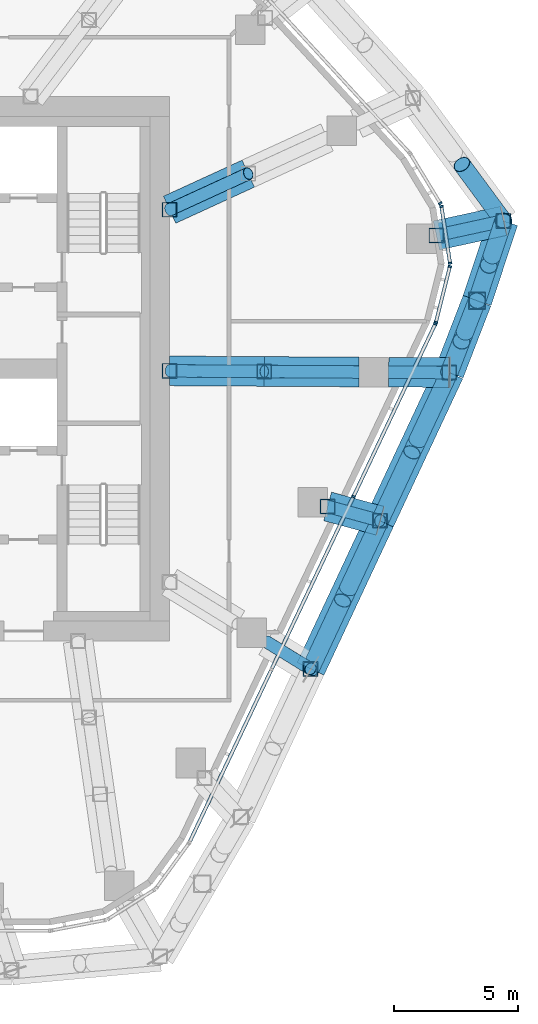
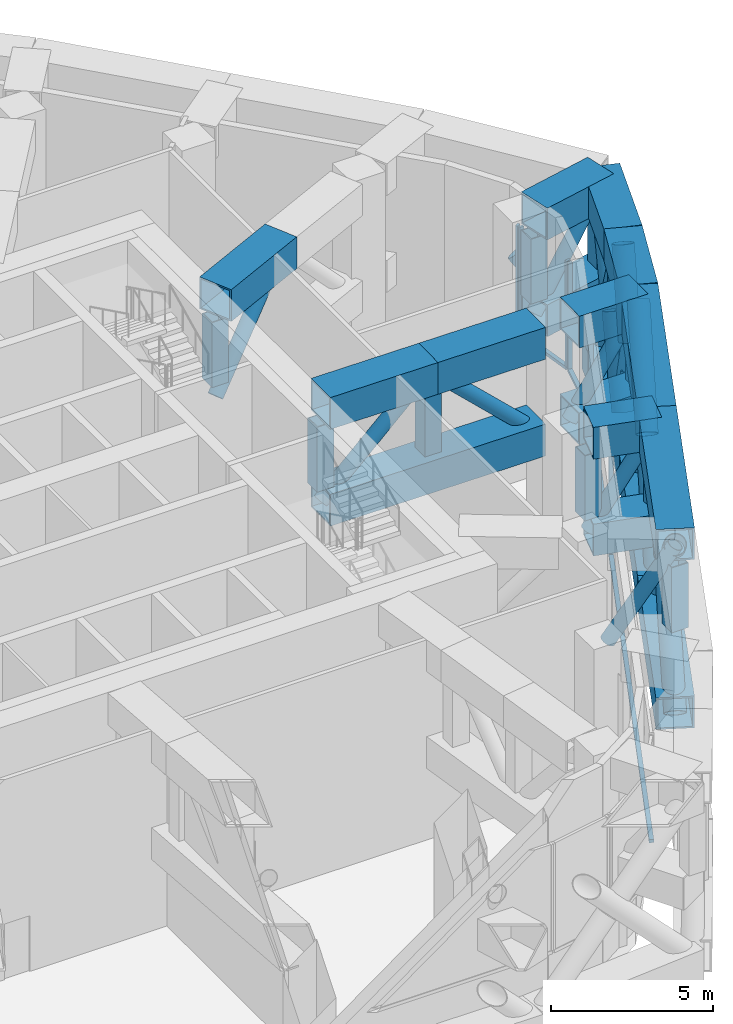
# One storey, part 6 of 21: 58 members, 2 elements without a shape of their own.
"""IFC4 building model written with IfcOpenShell, lengths in metres."""

from ifc_helpers import new_model, si_unit, direction, frame, origin, origin_2d, place, context, subcontext, project, spatial, rectangle, hollow_rectangle, hollow_circle, extrude, material, layer, layer_set, material_profile, profile_set, type_object, element, aggregate, save


model = new_model("IFC4")

# Units and contexts
model_context = context("Model", 3, precision=1e-05, world=origin(), true_north=direction((0.0, 1.0)))
body_context = subcontext(model_context, "Body", "Model", "MODEL_VIEW")
ifc_project = project(units=[si_unit("LENGTHUNIT", "METRE"), si_unit("AREAUNIT", "SQUARE_METRE"), si_unit("VOLUMEUNIT", "CUBIC_METRE"), si_unit("PLANEANGLEUNIT", "RADIAN"), si_unit("MASSUNIT", "GRAM", prefix="KILO")], contexts=[model_context])

# Site, building, storey
site_placement = place(None, origin())
site = spatial("IfcSite", under=ifc_project, at=site_placement, CompositionType="ELEMENT")
building_placement = place(site_placement, origin())
building = spatial("IfcBuilding", under=site, at=building_placement, Name="Dongbaek Canopy Tower", CompositionType="ELEMENT")
storey_placement = place(building_placement, frame((0.0, 0.0, 220.60009765625)))
storey = spatial("IfcBuildingStorey", under=building, at=storey_placement, Name="L46", CompositionType="ELEMENT", Elevation=220.60009765625)

# Members
ifc_material_1 = material(Name="Steel S355", Category="steel")
ifc_material_profile_1 = material_profile(ifc_material_1, hollow_circle(Radius=0.35546875, WallThickness=0.02001953125, at=origin_2d()), Name="BELT BRACE CHS 711.0x20.0 Steel S355")
ifc_profile_set_1 = profile_set([ifc_material_profile_1], Name="Steel S355")
member_type_1 = type_object("IfcMemberType", Name="BELT BRACE CHS 711.0x20.0 Steel S355", PredefinedType="BRACE", material=ifc_profile_set_1)
member_1_placement = place(storey_placement, frame((25.302001953125, -0.15234375, 0.599853515625), z_axis=(-0.305799899715, -0.6530975996, 0.69278419925), x_axis=(0.905639830916, -0.424047752804, 0.0)))
element("IfcMember", 1, at=member_1_placement, inside=storey, type_object=member_type_1, Name="BELT:L46:22:D0:0", PredefinedType="BRACE", context=body_context, shape_type="SweptSolid", body=[
    extrude(hollow_circle(Radius=0.35546875, WallThickness=0.02001953125, at=origin_2d()), origin(), (0.0, 0.0, 1.0), 9.166015625),
])
for number, where, z_axis, x_axis, name in (
    (2, (22.4990234375, -6.138671875, 0.599853515625), (0.305815085145, 0.653098580324, 0.692776571541), (-0.905631988619, 0.424064501215, 0.0), "BELT:L46:22:D0:1"),
    (3, (25.302001953125, -0.15234375, 6.949951171875), (-0.305815085145, -0.653098580324, -0.692776571541), (0.905631988619, -0.424064501215, 0.0), "BELT:L46:22:D0:2"),
):
    element("IfcMember", number, at=place(storey_placement, frame(where, z_axis=z_axis, x_axis=x_axis)), inside=storey, type_object=member_type_1, Name=name, PredefinedType="BRACE", context=body_context, shape_type="SweptSolid", body=[
        extrude(hollow_circle(Radius=0.35546875, WallThickness=0.02001953125, at=origin_2d()), origin(), (0.0, 0.0, 1.0), 4.22705078125),
    ])
member_2_placement = place(storey_placement, frame((22.4990234375, -6.138671875, 0.599853515625), z_axis=(-0.305872726751, -0.653208437617, 0.692647538115), x_axis=(0.905628687032, -0.42407155201, 0.0)))
element("IfcMember", 4, at=member_2_placement, inside=storey, type_object=member_type_1, Name="BELT:L46:23:D0:0", PredefinedType="BRACE", context=body_context, shape_type="SweptSolid", body=[
    extrude(hollow_circle(Radius=0.35546875, WallThickness=0.02001953125, at=origin_2d()), origin(), (0.0, 0.0, 1.0), 9.16796875),
])
member_3_placement = place(storey_placement, frame((19.69482421875, -12.127197265625, 0.599853515625), z_axis=(0.305902203977, 0.653203403849, 0.692639267442), x_axis=(-0.905611735951, 0.424107750116, 0.0)))
element("IfcMember", 5, at=member_3_placement, inside=storey, type_object=member_type_1, Name="BELT:L46:23:D0:1", PredefinedType="BRACE", context=body_context, shape_type="SweptSolid", body=[
    extrude(hollow_circle(Radius=0.35546875, WallThickness=0.02001953125, at=origin_2d()), origin(), (0.0, 0.0, 1.0), 4.228271484375),
])
member_4_placement = place(storey_placement, frame((22.4990234375, -6.138671875, 6.949951171875), z_axis=(-0.305861402226, -0.653181835376, -0.69267762528), x_axis=(0.905628084104, -0.424072839595, 0.0)))
element("IfcMember", 6, at=member_4_placement, inside=storey, type_object=member_type_1, Name="BELT:L46:23:D0:2", PredefinedType="BRACE", context=body_context, shape_type="SweptSolid", body=[
    extrude(hollow_circle(Radius=0.35546875, WallThickness=0.02001953125, at=origin_2d()), origin(), (0.0, 0.0, 1.0), 4.22802734375),
])
member_5_placement = place(storey_placement, frame((27.491943359375, 5.97705078125, 0.599853515625), z_axis=(-0.41360034673, 0.560564936938, 0.717427142406), x_axis=(-0.80467692283, -0.593712935571, 0.0)))
element("IfcMember", 7, at=member_5_placement, inside=storey, type_object=member_type_1, Name="BELT:L46:20:D0:1", PredefinedType="BRACE", context=body_context, shape_type="SweptSolid", body=[
    extrude(hollow_circle(Radius=0.35546875, WallThickness=0.02001953125, at=origin_2d()), origin(), (0.0, 0.0, 1.0), 4.070068359375),
])
member_6_placement = place(storey_placement, frame((27.491943359375, 5.97705078125, 0.599853515625), z_axis=(-0.148338740578, -0.447897572957, 0.88169347405), x_axis=(0.949292214277, -0.31439512069, 0.0)))
element("IfcMember", 8, at=member_6_placement, inside=storey, type_object=member_type_1, Name="BELT:L46:21:D0:0", PredefinedType="BRACE", context=body_context, shape_type="SweptSolid", body=[
    extrude(hollow_circle(Radius=0.35546875, WallThickness=0.02001953125, at=origin_2d()), origin(), (0.0, 0.0, 1.0), 7.2021484375),
])
for number, where, z_axis, x_axis, name in (
    (9, (26.423583984375, 2.751220703125, 0.599853515625), (0.148306833622, 0.447920483497, 0.88168720279), (-0.949317193134, 0.314319688883, 0.0), "BELT:L46:21:D0:1"),
    (10, (27.491943359375, 5.97705078125, 6.949951171875), (-0.148311943393, -0.447858990888, -0.88171758048), (0.949301082652, -0.314368342039, 0.0), "BELT:L46:21:D0:2"),
):
    element("IfcMember", number, at=place(storey_placement, frame(where, z_axis=z_axis, x_axis=x_axis)), inside=storey, type_object=member_type_1, Name=name, PredefinedType="BRACE", context=body_context, shape_type="SweptSolid", body=[
        extrude(hollow_circle(Radius=0.35546875, WallThickness=0.02001953125, at=origin_2d()), origin(), (0.0, 0.0, 1.0), 3.173828125),
    ])
member_7_placement = place(storey_placement, frame((26.423583984375, 2.751220703125, 0.599853515625), z_axis=(-0.15859603007, -0.410575225429, 0.897928328716), x_axis=(0.932825099265, -0.360329480032, 0.0)))
element("IfcMember", 11, at=member_7_placement, inside=storey, type_object=member_type_1, Name="BELT:L46:21:D1:0", PredefinedType="BRACE", context=body_context, shape_type="SweptSolid", body=[
    extrude(hollow_circle(Radius=0.35546875, WallThickness=0.02001953125, at=origin_2d()), origin(), (0.0, 0.0, 1.0), 7.072021484375),
])
for number, where, z_axis, x_axis, name in (
    (12, (25.302001953125, -0.15234375, 0.599853515625), (0.158607670867, 0.410560504639, 0.897933003499), (-0.932811866102, 0.360363736327, 0.0), "BELT:L46:21:D1:1"),
    (13, (26.423583984375, 2.751220703125, 6.949951171875), (-0.158607670867, -0.410560504639, -0.897933003499), (0.932811866102, -0.360363736327, 0.0), "BELT:L46:21:D1:2"),
):
    element("IfcMember", number, at=place(storey_placement, frame(where, z_axis=z_axis, x_axis=x_axis)), inside=storey, type_object=member_type_1, Name=name, PredefinedType="BRACE", context=body_context, shape_type="SweptSolid", body=[
        extrude(hollow_circle(Radius=0.35546875, WallThickness=0.02001953125, at=origin_2d()), origin(), (0.0, 0.0, 1.0), 3.086181640625),
    ])
ifc_material_2 = material(Name="Steel S355", Category="steel")
ifc_material_profile_2 = material_profile(ifc_material_2, hollow_rectangle(XDim=1.199951171875, YDim=1.199951171875, WallThickness=0.06005859375, at=origin_2d()), Name="BELT CHORD BOX 1200x1200x60 Steel S355")
ifc_profile_set_2 = profile_set([ifc_material_profile_2], Name="Steel S355")
member_type_2 = type_object("IfcMemberType", Name="BELT CHORD BOX 1200x1200x60 Steel S355", PredefinedType="CHORD", material=ifc_profile_set_2)
for number, where, z_axis, x_axis, name in (
    (14, (25.302001953125, -0.15234375, 0.599853515625), (-0.424047752804, -0.905639830916, 0.0), (0.905639830916, -0.424047752804, 0.0), "BELT:L46:22:CB0"),
    (15, (25.302001953125, -0.15234375, 6.949951171875), (-0.424047752804, -0.905639830916, 0.0), (0.905639830916, -0.424047752804, 0.0), "BELT:L46:22:CT0"),
):
    element("IfcMember", number, at=place(storey_placement, frame(where, z_axis=z_axis, x_axis=x_axis)), inside=storey, type_object=member_type_2, Name=name, PredefinedType="CHORD", context=body_context, shape_type="SweptSolid", body=[
        extrude(hollow_rectangle(XDim=1.199951171875, YDim=1.199951171875, WallThickness=0.06005859375, at=origin_2d()), origin(), (0.0, 0.0, 1.0), 6.610107421875),
    ])
for number, where, z_axis, x_axis, name in (
    (16, (22.4990234375, -6.138671875, 0.599853515625), (-0.42407155201, -0.905628687032, 0.0), (0.905628687032, -0.42407155201, 0.0), "BELT:L46:23:CB0"),
    (17, (22.4990234375, -6.138671875, 6.949951171875), (-0.42407155201, -0.905628687032, 0.0), (0.905628687032, -0.42407155201, 0.0), "BELT:L46:23:CT0"),
):
    element("IfcMember", number, at=place(storey_placement, frame(where, z_axis=z_axis, x_axis=x_axis)), inside=storey, type_object=member_type_2, Name=name, PredefinedType="CHORD", context=body_context, shape_type="SweptSolid", body=[
        extrude(hollow_rectangle(XDim=1.199951171875, YDim=1.199951171875, WallThickness=0.06005859375, at=origin_2d()), origin(), (0.0, 0.0, 1.0), 6.612548828125),
    ])
for number, where, z_axis, x_axis, name in (
    (18, (27.491943359375, 5.97705078125, 0.599853515625), (-0.31439512069, -0.949292214277, 0.0), (0.949292214277, -0.31439512069, 0.0), "BELT:L46:21:CB0"),
    (19, (27.491943359375, 5.97705078125, 6.949951171875), (-0.31439512069, -0.949292214277, 0.0), (0.949292214277, -0.31439512069, 0.0), "BELT:L46:21:CT0"),
):
    element("IfcMember", number, at=place(storey_placement, frame(where, z_axis=z_axis, x_axis=x_axis)), inside=storey, type_object=member_type_2, Name=name, PredefinedType="CHORD", context=body_context, shape_type="SweptSolid", body=[
        extrude(hollow_rectangle(XDim=1.199951171875, YDim=1.199951171875, WallThickness=0.06005859375, at=origin_2d()), origin(), (0.0, 0.0, 1.0), 3.398193359375),
    ])
for number, where, z_axis, x_axis, name in (
    (20, (26.423583984375, 2.751220703125, 0.599853515625), (-0.360329480032, -0.932825099265, 0.0), (0.932825099265, -0.360329480032, 0.0), "BELT:L46:21:CB1"),
    (21, (26.423583984375, 2.751220703125, 6.949951171875), (-0.360329480032, -0.932825099265, 0.0), (0.932825099265, -0.360329480032, 0.0), "BELT:L46:21:CT1"),
):
    element("IfcMember", number, at=place(storey_placement, frame(where, z_axis=z_axis, x_axis=x_axis)), inside=storey, type_object=member_type_2, Name=name, PredefinedType="CHORD", context=body_context, shape_type="SweptSolid", body=[
        extrude(hollow_rectangle(XDim=1.199951171875, YDim=1.199951171875, WallThickness=0.06005859375, at=origin_2d()), origin(), (0.0, 0.0, 1.0), 3.112548828125),
    ])
ifc_material_3 = material(Name="Steel S355", Category="steel")
ifc_material_profile_3 = material_profile(ifc_material_3, hollow_rectangle(XDim=0.699951171875, YDim=0.699951171875, WallThickness=0.035888671875, at=origin_2d()), Name="BELT POST BOX 700x700x36 Steel S355")
ifc_profile_set_3 = profile_set([ifc_material_profile_3], Name="Steel S355")
member_type_3 = type_object("IfcMemberType", Name="BELT POST BOX 700x700x36 Steel S355", PredefinedType="POST", material=ifc_profile_set_3)
member_8_placement = place(storey_placement, frame((26.423583984375, 2.751220703125, 1.199951171875), z_axis=(0.0, 0.0, 1.0), x_axis=(1.0, 0.0, 0.0)))
element("IfcMember", 22, at=member_8_placement, inside=storey, type_object=member_type_3, Name="BELT:L46:21:P1", PredefinedType="POST", context=body_context, shape_type="SweptSolid", body=[
    extrude(hollow_rectangle(XDim=0.699951171875, YDim=0.699951171875, WallThickness=0.035888671875, at=origin_2d()), origin(), (0.0, 0.0, 1.0), 5.14990234375),
])
ifc_material_4 = material(Name="Steel S355", Category="steel")
ifc_material_profile_4 = material_profile(ifc_material_4, hollow_circle(Radius=0.25390625, WallThickness=0.01611328125, at=origin_2d()), Name="BRACE CHS 508.0x16.0 Steel S355")
ifc_profile_set_4 = profile_set([ifc_material_profile_4], Name="Steel S355")
member_type_4 = type_object("IfcMemberType", Name="BRACE CHS 508.0x16.0 Steel S355", PredefinedType="BRACE", material=ifc_profile_set_4)
member_9_placement = place(storey_placement, frame((24.780029296875, 5.387451171875, 3.2998046875), z_axis=(0.591426731723, 0.128582603269, 0.79604078736), x_axis=(-0.212447905245, 0.97717239398, 0.0)))
element("IfcMember", 23, at=member_9_placement, inside=storey, type_object=member_type_4, Name="TRUSS:L46:21:D0", PredefinedType="BRACE", context=body_context, shape_type="SweptSolid", body=[
    extrude(hollow_circle(Radius=0.25390625, WallThickness=0.01611328125, at=origin_2d()), origin(), (0.0, 0.0, 1.0), 4.58544921875),
])
member_10_placement = place(storey_placement, frame((20.387939453125, -5.562744140625, 3.2998046875), z_axis=(0.496047257807, -0.135327336783, 0.857685041225), x_axis=(0.263192929092, 0.964743220798, 0.0)))
element("IfcMember", 24, at=member_10_placement, inside=storey, type_object=member_type_4, Name="TRUSS:L46:23:D0", PredefinedType="BRACE", context=body_context, shape_type="SweptSolid", body=[
    extrude(hollow_circle(Radius=0.25390625, WallThickness=0.01611328125, at=origin_2d()), origin(), (0.0, 0.0, 1.0), 4.255859375),
])
ifc_material_5 = material(Name="Steel S355", Category="steel")
ifc_material_profile_5 = material_profile(ifc_material_5, hollow_rectangle(XDim=1.199951171875, YDim=1.199951171875, WallThickness=0.06005859375, at=origin_2d()), Name="CHORD BOX 1200x1200x60 Steel S355")
ifc_profile_set_5 = profile_set([ifc_material_profile_5], Name="Steel S355")
member_type_5 = type_object("IfcMemberType", Name="CHORD BOX 1200x1200x60 Steel S355", PredefinedType="CHORD", material=ifc_profile_set_5)
for number, where, z_axis, x_axis, name in (
    (25, (24.780029296875, 5.387451171875, 3.2998046875), (0.97717239398, 0.212447905245, 0.0), (-0.212447905245, 0.97717239398, 0.0), "TRUSS:L46:21:CB"),
    (26, (24.780029296875, 5.387451171875, 6.949951171875), (0.97717239398, 0.212447905245, 0.0), (-0.212447905245, 0.97717239398, 0.0), "TRUSS:L46:21:CT0"),
):
    element("IfcMember", number, at=place(storey_placement, frame(where, z_axis=z_axis, x_axis=x_axis)), inside=storey, type_object=member_type_5, Name=name, PredefinedType="CHORD", context=body_context, shape_type="SweptSolid", body=[
        extrude(hollow_rectangle(XDim=1.199951171875, YDim=1.199951171875, WallThickness=0.06005859375, at=origin_2d()), origin(), (0.0, 0.0, 1.0), 2.775146484375),
    ])
for number, where, z_axis, x_axis, name in (
    (27, (20.387939453125, -5.562744140625, 3.2998046875), (0.964743220798, -0.263192929092, 0.0), (0.263192929092, 0.964743220798, 0.0), "TRUSS:L46:23:CB"),
    (28, (20.387939453125, -5.562744140625, 6.949951171875), (0.964743220798, -0.263192929092, 0.0), (0.263192929092, 0.964743220798, 0.0), "TRUSS:L46:23:CT0"),
):
    element("IfcMember", number, at=place(storey_placement, frame(where, z_axis=z_axis, x_axis=x_axis)), inside=storey, type_object=member_type_5, Name=name, PredefinedType="CHORD", context=body_context, shape_type="SweptSolid", body=[
        extrude(hollow_rectangle(XDim=1.199951171875, YDim=1.199951171875, WallThickness=0.06005859375, at=origin_2d()), origin(), (0.0, 0.0, 1.0), 2.188232421875),
    ])

# Curtain wall, members
ifc_material_6 = material(Name="Aluminium 6063-T6 pale anodised", Category="aluminium")
ifc_layer = layer(ifc_material_6, 0.14990234375)
ifc_layer_set = layer_set([ifc_layer], Name="CW-7 louvre curtain wall")
curtain_wall_type = type_object("IfcCurtainWallType", Name="CW-7 louvre curtain wall", PredefinedType="NOTDEFINED", material=ifc_layer_set)
curtain_wall_1_placement = place(storey_placement, origin())
curtain_wall_1 = element("IfcCurtainWall", 29, at=curtain_wall_1_placement, inside=storey, type_object=curtain_wall_type, Name="CW-7 louvre wall L46 K0", PredefinedType="NOTDEFINED")
ifc_material_7 = material(Name="Aluminium 6063-T6 pale anodised", Category="aluminium")
ifc_material_profile_6 = material_profile(ifc_material_7, rectangle(XDim=0.14990234375, YDim=0.080078125, at=origin_2d()), Name="CW-7 mullion 80 x 150")
ifc_profile_set_6 = profile_set([ifc_material_profile_6], Name="Aluminium 6063-T6 pale anodised")
member_type_6 = type_object("IfcMemberType", Name="CW-7 mullion 80 x 150", PredefinedType="MULLION", material=ifc_profile_set_6)
member_11_placement = place(storey_placement, frame((24.76123046875, 1.8759765625, 1.77490234375), z_axis=(0.0, 0.0, 1.0), x_axis=(0.970074325916, -0.242808159249, 0.0)))
member_11 = element("IfcMember", 30, at=member_11_placement, type_object=member_type_6, Name="CW-7 mullion L46 K0.1.1", PredefinedType="MULLION", context=body_context, shape_type="SweptSolid", body=[
    extrude(rectangle(XDim=0.14990234375, YDim=0.080078125, at=origin_2d()), origin(), (0.0, 0.0, 1.0), 4.0),
])
member_12_placement = place(storey_placement, frame((25.326171875, 4.132568359375, 1.77490234375), z_axis=(0.0, 0.0, 1.0), x_axis=(0.970074325916, -0.242808159249, 0.0)))
member_12 = element("IfcMember", 31, at=member_12_placement, type_object=member_type_6, Name="CW-7 mullion L46 K0.1.2", PredefinedType="MULLION", context=body_context, shape_type="SweptSolid", body=[
    extrude(rectangle(XDim=0.14990234375, YDim=0.080078125, at=origin_2d()), origin(), (0.0, 0.0, 1.0), 4.0),
])
member_13_placement = place(storey_placement, frame((25.332763671875, 4.269775390625, 1.77490234375), z_axis=(0.0, 0.0, 1.0), x_axis=(0.988773252001, 0.149423746868, 0.0)))
member_13 = element("IfcMember", 32, at=member_13_placement, type_object=member_type_6, Name="CW-7 mullion L46 K0.2.1", PredefinedType="MULLION", context=body_context, shape_type="SweptSolid", body=[
    extrude(rectangle(XDim=0.14990234375, YDim=0.080078125, at=origin_2d()), origin(), (0.0, 0.0, 1.0), 4.0),
])
member_14_placement = place(storey_placement, frame((24.986572265625, 6.559814453125, 1.77490234375), z_axis=(0.0, 0.0, 1.0), x_axis=(0.988773252001, 0.149423746868, 0.0)))
member_14 = element("IfcMember", 33, at=member_14_placement, type_object=member_type_6, Name="CW-7 mullion L46 K0.2.2", PredefinedType="MULLION", context=body_context, shape_type="SweptSolid", body=[
    extrude(rectangle(XDim=0.14990234375, YDim=0.080078125, at=origin_2d()), origin(), (0.0, 0.0, 1.0), 4.0),
])
member_15_placement = place(storey_placement, frame((24.939697265625, 6.68896484375, 1.77490234375), z_axis=(0.0, 0.0, 1.0), x_axis=(0.855007774305, 0.518615180918, 0.0)))
member_15 = element("IfcMember", 34, at=member_15_placement, type_object=member_type_6, Name="CW-7 mullion L46 K0.3.1", PredefinedType="MULLION", context=body_context, shape_type="SweptSolid", body=[
    extrude(rectangle(XDim=0.14990234375, YDim=0.080078125, at=origin_2d()), origin(), (0.0, 0.0, 1.0), 4.0),
])

curtain_wall_2_placement = place(storey_placement, origin())
curtain_wall_2 = element("IfcCurtainWall", 35, at=curtain_wall_2_placement, inside=storey, type_object=curtain_wall_type, Name="CW-7 louvre wall L46 F5", PredefinedType="NOTDEFINED")
member_16_placement = place(storey_placement, frame((21.427978515625, -5.167724609375, 1.77490234375), z_axis=(0.0, 0.0, 1.0), x_axis=(0.903520299515, -0.428545293248, 0.0)))
member_16 = element("IfcMember", 36, at=member_16_placement, type_object=member_type_6, Name="CW-7 mullion L46 F5.1.3", PredefinedType="MULLION", context=body_context, shape_type="SweptSolid", body=[
    extrude(rectangle(XDim=0.14990234375, YDim=0.080078125, at=origin_2d()), origin(), (0.0, 0.0, 1.0), 4.0),
])
member_17_placement = place(storey_placement, frame((24.738037109375, 1.81103515625, 1.77490234375), z_axis=(0.0, 0.0, 1.0), x_axis=(0.903520299515, -0.428545293248, 0.0)))
member_17 = element("IfcMember", 37, at=member_17_placement, type_object=member_type_6, Name="CW-7 mullion L46 F5.1.4", PredefinedType="MULLION", context=body_context, shape_type="SweptSolid", body=[
    extrude(rectangle(XDim=0.14990234375, YDim=0.080078125, at=origin_2d()), origin(), (0.0, 0.0, 1.0), 4.0),
])

# Member
ifc_material_8 = material(Name="Aluminium 6063-T6 pale anodised", Category="aluminium")
ifc_material_profile_7 = material_profile(ifc_material_8, rectangle(XDim=0.14990234375, YDim=0.1201171875, at=origin_2d()), Name="CW-7 transom 120 x 150")
ifc_profile_set_7 = profile_set([ifc_material_profile_7], Name="Aluminium 6063-T6 pale anodised")
member_type_7 = type_object("IfcMemberType", Name="CW-7 transom 120 x 150", PredefinedType="USERDEFINED", material=ifc_profile_set_7)
member_18_placement = place(storey_placement, frame((24.76123046875, 1.8759765625, 1.71484375), z_axis=(0.242856638378, 0.970062190375, 0.0), x_axis=(-0.970062190375, 0.242856638378, 0.0)))
member_18 = element("IfcMember", 38, at=member_18_placement, type_object=member_type_7, Name="CW-7 transom L46 K0.1", ObjectType="TRANSOM", PredefinedType="USERDEFINED", context=body_context, shape_type="SweptSolid", body=[
    extrude(rectangle(XDim=0.14990234375, YDim=0.1201171875, at=origin_2d()), origin(), (0.0, 0.0, 1.0), 2.326171875),
])

member_19_placement = place(storey_placement, frame((25.332763671875, 4.269775390625, 1.71484375), z_axis=(-0.14947437322, 0.988765600004, 0.0), x_axis=(-0.988765600004, -0.14947437322, 0.0)))
member_19 = element("IfcMember", 39, at=member_19_placement, type_object=member_type_7, Name="CW-7 transom L46 K0.2", ObjectType="TRANSOM", PredefinedType="USERDEFINED", context=body_context, shape_type="SweptSolid", body=[
    extrude(rectangle(XDim=0.14990234375, YDim=0.1201171875, at=origin_2d()), origin(), (0.0, 0.0, 1.0), 2.316162109375),
])

aggregate(curtain_wall_1, [member_18, member_11, member_12, member_19, member_13, member_14, member_15])

member_20_placement = place(storey_placement, frame((14.80810546875, -19.124755859375, 1.71484375), z_axis=(0.428543737813, 0.903521037265, 0.0), x_axis=(-0.903521037265, 0.428543737813, 0.0)))
member_20 = element("IfcMember", 40, at=member_20_placement, type_object=member_type_7, Name="CW-7 transom L46 F5.1", ObjectType="TRANSOM", PredefinedType="USERDEFINED", context=body_context, shape_type="SweptSolid", body=[
    extrude(rectangle(XDim=0.14990234375, YDim=0.1201171875, at=origin_2d()), origin(), (0.0, 0.0, 1.0), 23.17138671875),
])

aggregate(curtain_wall_2, [member_20, member_16, member_17])

# Members
ifc_material_9 = material(Name="Steel S355", Category="steel")
ifc_material_profile_8 = material_profile(ifc_material_9, hollow_circle(Radius=0.25390625, WallThickness=0.01611328125, at=origin_2d()), Name="OUTRIGGER BRACE CHS 508.0x16.0 Steel S355")
ifc_profile_set_8 = profile_set([ifc_material_profile_8], Name="Steel S355")
member_type_8 = type_object("IfcMemberType", Name="OUTRIGGER BRACE CHS 508.0x16.0 Steel S355", PredefinedType="BRACE", material=ifc_profile_set_8)
member_21_placement = place(storey_placement, frame((14.0, 6.42626953125, 3.2998046875), z_axis=(0.628903161664, 0.288691900468, 0.721898746261), x_axis=(-0.417185611281, 0.908821305725, 0.0)))
element("IfcMember", 41, at=member_21_placement, inside=storey, type_object=member_type_8, Name="TRUSS:L46:20:D0", PredefinedType="BRACE", context=body_context, shape_type="SweptSolid", body=[
    extrude(hollow_circle(Radius=0.25390625, WallThickness=0.01611328125, at=origin_2d()), origin(), (0.0, 0.0, 1.0), 5.056396484375),
])
member_22_placement = place(storey_placement, frame((14.0, -0.084228515625, 3.2998046875), z_axis=(0.723613688112, -0.004385537504, 0.690191275979), x_axis=(0.006060494758, 0.999981635033, 0.0)))
element("IfcMember", 42, at=member_22_placement, inside=storey, type_object=member_type_8, Name="TRUSS:L46:22:D0", PredefinedType="BRACE", context=body_context, shape_type="SweptSolid", body=[
    extrude(hollow_circle(Radius=0.25390625, WallThickness=0.01611328125, at=origin_2d()), origin(), (0.0, 0.0, 1.0), 5.28857421875),
])
member_23_placement = place(storey_placement, frame((17.826904296875, -0.107421875, 6.949951171875), z_axis=(0.723635824274, -0.004339229873, -0.690168359831), x_axis=(0.005996319856, 0.999982021912, 0.0)))
element("IfcMember", 43, at=member_23_placement, inside=storey, type_object=member_type_8, Name="TRUSS:L46:22:D1", PredefinedType="BRACE", context=body_context, shape_type="SweptSolid", body=[
    extrude(hollow_circle(Radius=0.25390625, WallThickness=0.01611328125, at=origin_2d()), origin(), (0.0, 0.0, 1.0), 5.288818359375),
])
member_24_placement = place(storey_placement, frame((22.85400390625, -0.1376953125, 3.2998046875), z_axis=(0.556989606046, -0.003332938702, 0.830512775505), x_axis=(0.005983736495, 0.999982097289, 0.0)))
element("IfcMember", 44, at=member_24_placement, inside=storey, type_object=member_type_8, Name="TRUSS:L46:22s:D0", PredefinedType="BRACE", context=body_context, shape_type="SweptSolid", body=[
    extrude(hollow_circle(Radius=0.25390625, WallThickness=0.01611328125, at=origin_2d()), origin(), (0.0, 0.0, 1.0), 4.39501953125),
])
member_25_placement = place(storey_placement, frame((17.922119140625, -11.035400390625, 3.2998046875), z_axis=(0.421856586323, -0.259818572378, 0.868637628717), x_axis=(0.5244114402, 0.851464997159, 0.0)))
element("IfcMember", 45, at=member_25_placement, inside=storey, type_object=member_type_8, Name="TRUSS:L46:24s:D0", PredefinedType="BRACE", context=body_context, shape_type="SweptSolid", body=[
    extrude(hollow_circle(Radius=0.25390625, WallThickness=0.01611328125, at=origin_2d()), origin(), (0.0, 0.0, 1.0), 4.2021484375),
])
ifc_material_10 = material(Name="Steel S355", Category="steel")
ifc_material_profile_9 = material_profile(ifc_material_10, hollow_rectangle(XDim=1.199951171875, YDim=1.199951171875, WallThickness=0.06005859375, at=origin_2d()), Name="OUTRIGGER CHORD BOX 1200x1200x60 Steel S355")
ifc_profile_set_9 = profile_set([ifc_material_profile_9], Name="Steel S355")
member_type_9 = type_object("IfcMemberType", Name="OUTRIGGER CHORD BOX 1200x1200x60 Steel S355", PredefinedType="CHORD", material=ifc_profile_set_9)
member_26_placement = place(storey_placement, frame((14.0, 6.42626953125, 6.949951171875), z_axis=(0.908821305725, 0.417185611281, 0.0), x_axis=(-0.417185611281, 0.908821305725, 0.0)))
element("IfcMember", 46, at=member_26_placement, inside=storey, type_object=member_type_9, Name="TRUSS:L46:20:CT0", PredefinedType="CHORD", context=body_context, shape_type="SweptSolid", body=[
    extrude(hollow_rectangle(XDim=1.199951171875, YDim=1.199951171875, WallThickness=0.06005859375, at=origin_2d()), origin(), (0.0, 0.0, 1.0), 3.4990234375),
])
member_27_placement = place(storey_placement, frame((14.0, -0.084228515625, 3.2998046875), z_axis=(0.999981828994, -0.006028406293, 0.0), x_axis=(0.006028406293, 0.999981828994, 0.0)))
element("IfcMember", 47, at=member_27_placement, inside=storey, type_object=member_type_9, Name="TRUSS:L46:22:CB", PredefinedType="CHORD", context=body_context, shape_type="SweptSolid", body=[
    extrude(hollow_rectangle(XDim=1.199951171875, YDim=1.199951171875, WallThickness=0.06005859375, at=origin_2d()), origin(), (0.0, 0.0, 1.0), 7.654296875),
])
member_28_placement = place(storey_placement, frame((14.0, -0.084228515625, 6.949951171875), z_axis=(0.999981635033, -0.006060494758, 0.0), x_axis=(0.006060494758, 0.999981635033, 0.0)))
element("IfcMember", 48, at=member_28_placement, inside=storey, type_object=member_type_9, Name="TRUSS:L46:22:CT0", PredefinedType="CHORD", context=body_context, shape_type="SweptSolid", body=[
    extrude(hollow_rectangle(XDim=1.199951171875, YDim=1.199951171875, WallThickness=0.06005859375, at=origin_2d()), origin(), (0.0, 0.0, 1.0), 3.826904296875),
])
member_29_placement = place(storey_placement, frame((17.826904296875, -0.107421875, 6.949951171875), z_axis=(0.999982021912, -0.005996319856, 0.0), x_axis=(0.005996319856, 0.999982021912, 0.0)))
element("IfcMember", 49, at=member_29_placement, inside=storey, type_object=member_type_9, Name="TRUSS:L46:22:CT1", PredefinedType="CHORD", context=body_context, shape_type="SweptSolid", body=[
    extrude(hollow_rectangle(XDim=1.199951171875, YDim=1.199951171875, WallThickness=0.06005859375, at=origin_2d()), origin(), (0.0, 0.0, 1.0), 3.8271484375),
])
for number, where, z_axis, x_axis, name in (
    (50, (22.85400390625, -0.1376953125, 3.2998046875), (0.999982097289, -0.005983736495, 0.0), (0.005983736495, 0.999982097289, 0.0), "TRUSS:L46:22s:CB"),
    (51, (22.85400390625, -0.1376953125, 6.949951171875), (0.999982097289, -0.005983736495, 0.0), (0.005983736495, 0.999982097289, 0.0), "TRUSS:L46:22s:CT0"),
):
    element("IfcMember", number, at=place(storey_placement, frame(where, z_axis=z_axis, x_axis=x_axis)), inside=storey, type_object=member_type_9, Name=name, PredefinedType="CHORD", context=body_context, shape_type="SweptSolid", body=[
        extrude(hollow_rectangle(XDim=1.199951171875, YDim=1.199951171875, WallThickness=0.06005859375, at=origin_2d()), origin(), (0.0, 0.0, 1.0), 2.447998046875),
    ])
ifc_material_11 = material(Name="Steel S355", Category="steel")
ifc_material_profile_10 = material_profile(ifc_material_11, hollow_rectangle(XDim=0.60009765625, YDim=0.60009765625, WallThickness=0.031982421875, at=origin_2d()), Name="OUTRIGGER POST BOX 600x600x32 Steel S355")
ifc_profile_set_10 = profile_set([ifc_material_profile_10], Name="Steel S355")
member_type_10 = type_object("IfcMemberType", Name="OUTRIGGER POST BOX 600x600x32 Steel S355", PredefinedType="POST", material=ifc_profile_set_10)
for number, where, z_axis, x_axis, name in (
    (52, (14.0, 6.42626953125, 3.89990234375), (0.0, 0.0, 1.0), (1.0, 0.0, 0.0), "TRUSS:L46:20:P0"),
    (53, (14.0, -0.084228515625, 3.89990234375), (0.0, 0.0, 1.0), (1.0, 0.0, 0.0), "TRUSS:L46:22:P0"),
    (54, (17.826904296875, -0.107421875, 3.89990234375), (0.0, 0.0, 1.0), (1.0, 0.0, 0.0), "TRUSS:L46:22:P1"),
    (55, (25.302001953125, -0.15234375, 3.89990234375), (0.0, 0.0, 1.0), (1.0, 0.0, 0.0), "TRUSS:L46:22s:P1"),
    (56, (19.69482421875, -12.127197265625, 3.89990234375), (0.0, 0.0, 1.0), (1.0, 0.0, 0.0), "TRUSS:L46:24s:P1"),
):
    element("IfcMember", number, at=place(storey_placement, frame(where, z_axis=z_axis, x_axis=x_axis)), inside=storey, type_object=member_type_10, Name=name, PredefinedType="POST", context=body_context, shape_type="SweptSolid", body=[
        extrude(hollow_rectangle(XDim=0.60009765625, YDim=0.60009765625, WallThickness=0.031982421875, at=origin_2d()), origin(), (0.0, 0.0, 1.0), 2.449951171875),
    ])
ifc_material_12 = material(Name="Steel S355", Category="steel")
ifc_material_profile_11 = material_profile(ifc_material_12, hollow_rectangle(XDim=0.60009765625, YDim=0.60009765625, WallThickness=0.031982421875, at=origin_2d()), Name="POST BOX 600x600x32 Steel S355")
ifc_profile_set_11 = profile_set([ifc_material_profile_11], Name="Steel S355")
member_type_11 = type_object("IfcMemberType", Name="POST BOX 600x600x32 Steel S355", PredefinedType="POST", material=ifc_profile_set_11)
for number, where, z_axis, x_axis, name in (
    (57, (24.780029296875, 5.387451171875, 3.89990234375), (0.0, 0.0, 1.0), (1.0, 0.0, 0.0), "TRUSS:L46:21:P0"),
    (58, (27.491943359375, 5.97705078125, 3.89990234375), (0.0, 0.0, 1.0), (1.0, 0.0, 0.0), "TRUSS:L46:21:P1"),
    (59, (20.387939453125, -5.562744140625, 3.89990234375), (0.0, 0.0, 1.0), (1.0, 0.0, 0.0), "TRUSS:L46:23:P0"),
    (60, (22.4990234375, -6.138671875, 3.89990234375), (0.0, 0.0, 1.0), (1.0, 0.0, 0.0), "TRUSS:L46:23:P1"),
):
    element("IfcMember", number, at=place(storey_placement, frame(where, z_axis=z_axis, x_axis=x_axis)), inside=storey, type_object=member_type_11, Name=name, PredefinedType="POST", context=body_context, shape_type="SweptSolid", body=[
        extrude(hollow_rectangle(XDim=0.60009765625, YDim=0.60009765625, WallThickness=0.031982421875, at=origin_2d()), origin(), (0.0, 0.0, 1.0), 2.449951171875),
    ])

save(model, "model.ifc")
